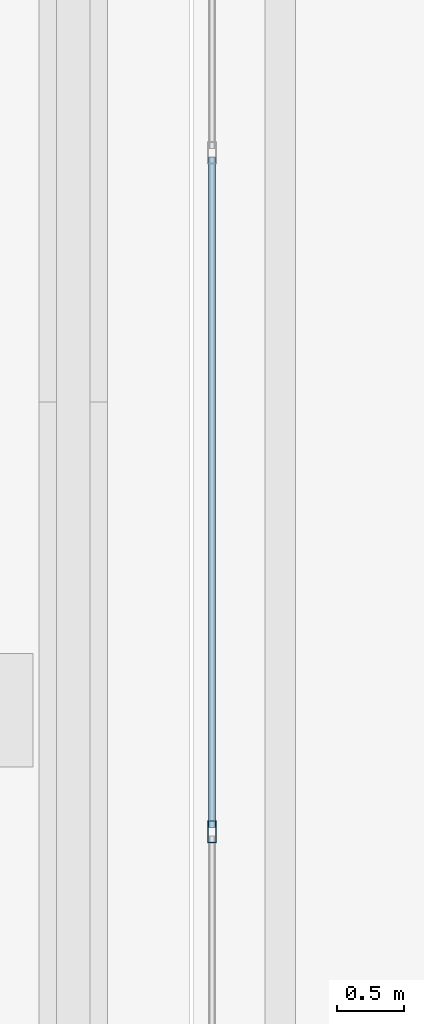
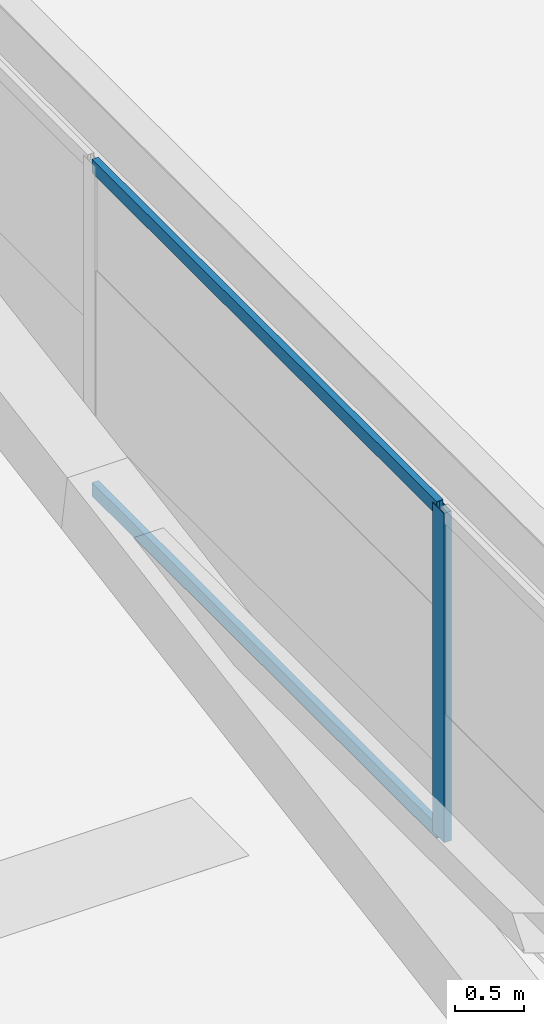
# One storey, part 7 of 56: 3 members, 1 element without a shape of its own.
"""IFC4 building model written with IfcOpenShell, lengths in metres."""

from ifc_helpers import new_model, si_unit, direction, frame, origin, origin_2d, place, context, subcontext, project, spatial, hollow_rectangle, extrude, source, transform, mapped, material, layer, layer_set, material_profile, profile_set, type_object, element, aggregate, save


model = new_model("IFC4")

# Units and contexts
model_context = context("Model", 3, precision=1e-05, world=origin(), true_north=direction((0.0, 1.0)))
body_context = subcontext(model_context, "Body", "Model", "MODEL_VIEW")
ifc_project = project(units=[si_unit("LENGTHUNIT", "METRE"), si_unit("AREAUNIT", "SQUARE_METRE"), si_unit("VOLUMEUNIT", "CUBIC_METRE"), si_unit("PLANEANGLEUNIT", "RADIAN"), si_unit("MASSUNIT", "GRAM", prefix="KILO")], contexts=[model_context])

# Site, building, storey
site_placement = place(None, origin())
site = spatial("IfcSite", under=ifc_project, at=site_placement, CompositionType="ELEMENT")
building_placement = place(site_placement, origin())
building = spatial("IfcBuilding", under=site, at=building_placement, Name="Taldren Reach Tower", CompositionType="ELEMENT")
storey_placement = place(building_placement, frame((0.0, 0.0, 16.800048828125)))
storey = spatial("IfcBuildingStorey", under=building, at=storey_placement, Name="L04", CompositionType="ELEMENT", Elevation=16.800048828125)

# Curtain wall, members
ifc_material_1 = material(Name="Aluminium and Low-E Glass Unitised System", Category="aluminium")
ifc_layer = layer(ifc_material_1, 0.159912109375)
ifc_layer_set = layer_set([ifc_layer], Name="Aluminium and Low-E Glass Unitised System")
curtain_wall_type = type_object("IfcCurtainWallType", Name="CW-SYS-2", PredefinedType="NOTDEFINED", material=ifc_layer_set)
curtain_wall_placement = place(storey_placement, origin())
curtain_wall = element("IfcCurtainWall", 1, at=curtain_wall_placement, inside=storey, type_object=curtain_wall_type, Name="Unitised curtain wall CW-L04-W2", PredefinedType="NOTDEFINED")
ifc_material_2 = material(Name="Anodised Aluminium 6063-T6", Category="aluminium")
ifc_material_profile_1 = material_profile(ifc_material_2, hollow_rectangle(XDim=0.06494140625, YDim=0.1650390625, WallThickness=0.00390625, at=origin_2d()), Name="ALU-165x65x4RHS")
ifc_profile_set_1 = profile_set([ifc_material_profile_1], Name="Anodised Aluminium 6063-T6")
member_type_1 = type_object("IfcMemberType", Name="CW-MUL-165", PredefinedType="MULLION", material=ifc_profile_set_1)
shared_shape_1 = source(origin(), body_context, "Body", "SweptSolid", [
    extrude(hollow_rectangle(XDim=0.06494140625, YDim=0.1650390625, WallThickness=0.00390625, at=origin_2d()), origin(), (0.0, 0.0, 1.0), 2.929931640625),
])
member_1_placement = place(storey_placement, frame((5.139892578125, 9.58740234375, 0.0), z_axis=(0.0, 0.0, 1.0), x_axis=(1.0, 0.0, 0.0)))
member_1 = element("IfcMember", 2, at=member_1_placement, type_object=member_type_1, Name="CW-2 mullion 4", PredefinedType="MULLION", context=body_context, shape_type="MappedRepresentation", body=[
    mapped(shared_shape_1, transform((0.0, 0.0, 0.0), scale=1.0)),
])
ifc_material_profile_2 = material_profile(ifc_material_2, hollow_rectangle(XDim=0.054931640625, YDim=0.1201171875, WallThickness=0.0029296875, at=origin_2d()), Name="ALU-120x55x3RHS")
ifc_profile_set_2 = profile_set([ifc_material_profile_2], Name="Anodised Aluminium 6063-T6")
member_type_2 = type_object("IfcMemberType", Name="CW-TRN-135", PredefinedType="USERDEFINED", material=ifc_profile_set_2)
shared_shape_2 = source(origin(), body_context, "Body", "SweptSolid", [
    extrude(hollow_rectangle(XDim=0.054931640625, YDim=0.1201171875, WallThickness=0.0029296875, at=origin_2d()), origin(), (0.0, 0.0, 1.0), 5.0224609375),
])
member_2_placement = place(storey_placement, frame((5.139892578125, 14.642578125, 0.02734375), z_axis=(0.0, -1.0, 0.0), x_axis=(1.0, 0.0, 0.0)))
member_2 = element("IfcMember", 3, at=member_2_placement, type_object=member_type_2, Name="CW-2 transom 3.1", ObjectType="TRANSOM", PredefinedType="USERDEFINED", context=body_context, shape_type="MappedRepresentation", body=[
    mapped(shared_shape_2, transform((0.0, 0.0, 0.0), scale=1.0)),
])
member_3_placement = place(storey_placement, frame((5.139892578125, 14.642578125, 2.90234375), z_axis=(0.0, -1.0, 0.0), x_axis=(1.0, 0.0, 0.0)))
member_3 = element("IfcMember", 4, at=member_3_placement, type_object=member_type_2, Name="CW-2 transom 3.2", ObjectType="TRANSOM", PredefinedType="USERDEFINED", context=body_context, shape_type="MappedRepresentation", body=[
    mapped(shared_shape_2, transform((0.0, 0.0, 0.0), scale=1.0)),
])
aggregate(curtain_wall, [member_1, member_2, member_3])

save(model, "model.ifc")
